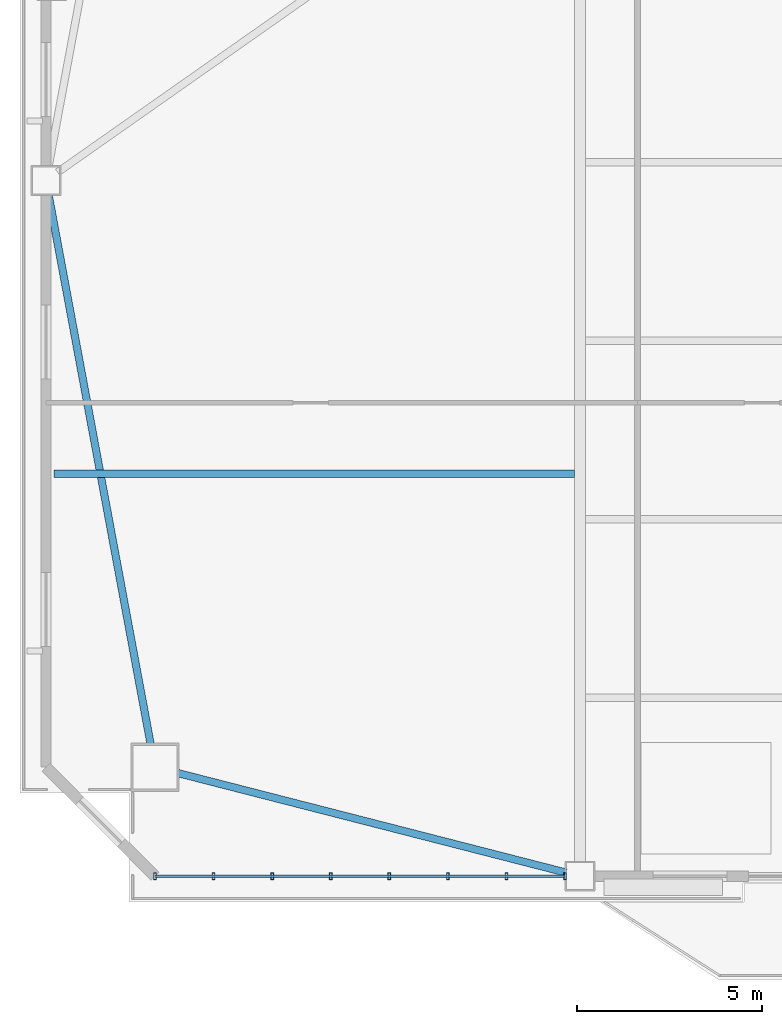
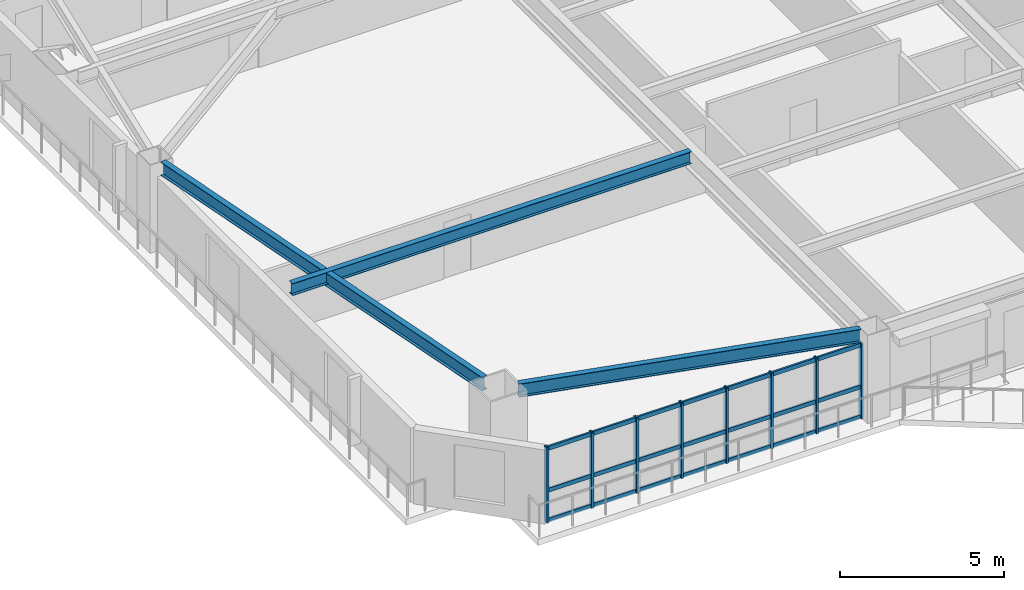
# One storey, part 2 of 15: 11 members, 3 beams, 1 element without a shape of its own.
"""IFC4 building model written with IfcOpenShell, lengths in metres."""

import ifcopenshell
import ifcopenshell.guid

model = None  # the IFC model being written
_history = None  # IfcOwnerHistory: only IFC2X3 demands one
_inside = {}  # id of a spatial element -> (the spatial element, [elements in it])
_under = {}  # id of a project, library or spatial element -> (it, [spatial elements below it])
_declared = {}  # id of a project -> (the project, [libraries it declares])
_typed = {}  # id of a type object -> (the type object, [elements of that type])
_made_of = {}  # id of a material, layer set ... -> (it, [elements and type objects made of it])


def new_model(schema):
    """Start an empty IFC model of exactly this schema.

    Asked for "IFC4X3", IfcOpenShell would pick the latest addendum, in which some entities
    have other attributes; the version numbers below select the first issue.
    IFC2X3 requires an IfcOwnerHistory on every rooted entity: one is made here for all.
    """
    global model, _history
    if schema == "IFC4X3":
        model = ifcopenshell.file(schema_version=(4, 3, 0, 0))
    else:
        model = ifcopenshell.file(schema=schema)
    _inside.clear()
    _under.clear()
    _declared.clear()
    _typed.clear()
    _made_of.clear()
    _history = None
    if model.schema == "IFC2X3":
        org = make("IfcOrganization", Name="unknown")
        user = make(
            "IfcPersonAndOrganization",
            ThePerson=make("IfcPerson", FamilyName="unknown"),
            TheOrganization=org,
        )
        app = make(
            "IfcApplication",
            ApplicationDeveloper=org,
            Version="unknown",
            ApplicationFullName="unknown",
            ApplicationIdentifier="unknown",
        )
        _history = make(
            "IfcOwnerHistory",
            OwningUser=user,
            OwningApplication=app,
            ChangeAction="ADDED",
            CreationDate=0,
        )
    return model


def make(cls, **values):
    """One entity of the class cls with the attributes given. An attribute that is None is left unset."""
    return model.create_entity(
        cls, **{name: value for name, value in values.items() if value is not None}
    )


def rooted(cls, **values):
    """An entity with a GlobalId (a new one), such as an element, a storey or a relation."""
    return make(cls, GlobalId=ifcopenshell.guid.new(), OwnerHistory=_history, **values)


def si_unit(unit_type, name, prefix=None):
    """IfcSIUnit, for example si_unit("LENGTHUNIT", "METRE", prefix="MILLI")."""
    return make("IfcSIUnit", UnitType=unit_type, Prefix=prefix, Name=name)


def assignment(units):
    """IfcUnitAssignment: the units of a project."""
    return None if units is None else make("IfcUnitAssignment", Units=units)


def point(xyz):
    """IfcCartesianPoint."""
    return None if xyz is None else make("IfcCartesianPoint", Coordinates=xyz)


def direction(xyz):
    """IfcDirection."""
    return None if xyz is None else make("IfcDirection", DirectionRatios=xyz)


def frame(location, z_axis=None, x_axis=None):
    """IfcAxis2Placement3D, a coordinate frame: its origin and axes. An axis left out is left unset."""
    return make(
        "IfcAxis2Placement3D",
        Location=point(location),
        Axis=direction(z_axis),
        RefDirection=direction(x_axis),
    )


def frame_2d(location, x_axis=None):
    """IfcAxis2Placement2D, a coordinate frame in the plane: its origin and x axis."""
    return make(
        "IfcAxis2Placement2D", Location=point(location), RefDirection=direction(x_axis)
    )


def origin():
    """The frame at (0, 0, 0) with its axes left unset."""
    return frame((0.0, 0.0, 0.0))


def origin_2d():
    """The frame at (0, 0) in the plane with its x axis left unset."""
    return frame_2d((0.0, 0.0))


def place(relative_to, where):
    """IfcLocalPlacement: puts the frame where relative to a parent placement (None: the world)."""
    return make(
        "IfcLocalPlacement", PlacementRelTo=relative_to, RelativePlacement=where
    )


def context(
    kind, dimensions, precision=None, world=None, true_north=None, identifier=None
):
    """IfcGeometricRepresentationContext, for example the 3D "Model" context."""
    return make(
        "IfcGeometricRepresentationContext",
        ContextIdentifier=identifier,
        ContextType=kind,
        CoordinateSpaceDimension=dimensions,
        Precision=precision,
        WorldCoordinateSystem=world,
        TrueNorth=true_north,
    )


def subcontext(parent, identifier, kind, view, scale=None):
    """IfcGeometricRepresentationSubContext, for example "Body" below "Model"."""
    return make(
        "IfcGeometricRepresentationSubContext",
        ContextIdentifier=identifier,
        ContextType=kind,
        ParentContext=parent,
        TargetScale=scale,
        TargetView=view,
    )


def project(units=None, contexts=None):
    """IfcProject with its units and contexts."""
    return rooted(
        "IfcProject",
        Name="project",
        RepresentationContexts=contexts,
        UnitsInContext=assignment(units),
    )


def spatial(cls, under=None, at=None, **own):
    """A site, building, storey or space (cls), placed at a placement, below another one or the project."""
    s = rooted(cls, ObjectPlacement=at, **own)
    if under is not None:
        _under.setdefault(under.id(), (under, []))[1].append(s)
    return s


def profile(cls, at=None, kind="AREA", **sizes):
    """A parametric profile (cls). Its sizes go by their IFC names, for example OverallWidth=200.0."""
    return make(cls, ProfileType=kind, Position=at, **sizes)


def hollow_rectangle(**sizes):
    """IfcRectangleHollowProfileDef."""
    return profile("IfcRectangleHollowProfileDef", **sizes)


def i_section(**sizes):
    """IfcIShapeProfileDef."""
    return profile("IfcIShapeProfileDef", **sizes)


def extrude(swept, where, along, depth):
    """IfcExtrudedAreaSolid: the profile swept, set in the frame where, extruded along a direction by depth."""
    return make(
        "IfcExtrudedAreaSolid",
        SweptArea=swept,
        Position=where,
        ExtrudedDirection=direction(along),
        Depth=depth,
    )


def shape(context_of_items, identifier, shape_type, items):
    """IfcShapeRepresentation: the items that make up one representation, for example the "Body"."""
    return make(
        "IfcShapeRepresentation",
        ContextOfItems=context_of_items,
        RepresentationIdentifier=identifier,
        RepresentationType=shape_type,
        Items=items,
    )


def source(mapping_origin, context_of_items, identifier, shape_type, items):
    """IfcRepresentationMap: a shape defined once, which mapped items show again and again."""
    return make(
        "IfcRepresentationMap",
        MappingOrigin=mapping_origin,
        MappedRepresentation=shape(context_of_items, identifier, shape_type, items),
    )


def transform(
    local_origin,
    x_axis=None,
    y_axis=None,
    z_axis=None,
    scale=None,
    scale2=None,
    scale3=None,
    uniform=True,
):
    """IfcCartesianTransformationOperator3D, or its non-uniform kind. x_axis, y_axis, z_axis: its Axis1, 2, 3."""
    if uniform:
        return make(
            "IfcCartesianTransformationOperator3D",
            Axis1=direction(x_axis),
            Axis2=direction(y_axis),
            LocalOrigin=point(local_origin),
            Scale=scale,
            Axis3=direction(z_axis),
        )
    return make(
        "IfcCartesianTransformationOperator3DnonUniform",
        Axis1=direction(x_axis),
        Axis2=direction(y_axis),
        LocalOrigin=point(local_origin),
        Scale=scale,
        Axis3=direction(z_axis),
        Scale2=scale2,
        Scale3=scale3,
    )


def mapped(mapping_source, mapping_target):
    """IfcMappedItem: shows the shape of a source again, moved by a transform."""
    return make(
        "IfcMappedItem", MappingSource=mapping_source, MappingTarget=mapping_target
    )


def material(Name=None, Category=None):
    """IfcMaterial."""
    return make("IfcMaterial", Name=Name, Category=Category)


def layer(
    of_material, thickness, ventilated=None, Name=None, Category=None, Priority=None
):
    """IfcMaterialLayer: one layer of a wall or slab, of a material (None: an air gap)."""
    return make(
        "IfcMaterialLayer",
        Material=of_material,
        LayerThickness=thickness,
        IsVentilated=ventilated,
        Name=Name,
        Category=Category,
        Priority=Priority,
    )


def layer_set(layers, Name=None):
    """IfcMaterialLayerSet."""
    return make("IfcMaterialLayerSet", MaterialLayers=layers, LayerSetName=Name)


def material_profile(
    of_material, cross_section, Name=None, Category=None, Priority=None
):
    """IfcMaterialProfile: a cross section and its material."""
    return make(
        "IfcMaterialProfile",
        Name=Name,
        Material=of_material,
        Profile=cross_section,
        Priority=Priority,
        Category=Category,
    )


def profile_set(profiles, Name=None, composite=None):
    """IfcMaterialProfileSet."""
    return make(
        "IfcMaterialProfileSet",
        Name=Name,
        MaterialProfiles=profiles,
        CompositeProfile=composite,
    )


def made_of(thing, what):
    """Note that an element or type object is made of a material, layer set ...; save() writes the relation."""
    if what is not None:
        _made_of.setdefault(what.id(), (what, []))[1].append(thing)
    return thing


def type_object(cls, material=None, **own):
    """A type object (cls), such as IfcWallType, which elements share."""
    return made_of(rooted(cls, **own), material)


def element(
    cls,
    number,
    at=None,
    inside=None,
    cuts=None,
    type_object=None,
    material=None,
    context=None,
    identifier="Body",
    shape_type=None,
    held_by="IfcProductDefinitionShape",
    body=None,
    shapes=None,
    **own,
):
    """One element of the class cls, such as IfcWall. Its Tag is "e" and its number.

    at: its placement. inside: the storey or other place that contains it. cuts: it is an
    opening in that element (IfcRelVoidsElement). A single representation is given by context,
    identifier, shape_type and body (its items); several are given by shapes. held_by: the class
    of the entity that holds the representations. save() writes the other relations.
    """
    e = rooted(cls, Tag="e%d" % number, ObjectPlacement=at, **own)
    if body is not None:
        shapes = [shape(context, identifier, shape_type, body)]
    if shapes is not None:
        e.Representation = make(held_by, Representations=shapes)
    if inside is not None:
        _inside.setdefault(inside.id(), (inside, []))[1].append(e)
    if cuts is not None:
        rooted(
            "IfcRelVoidsElement", RelatingBuildingElement=cuts, RelatedOpeningElement=e
        )
    if type_object is not None:
        _typed.setdefault(type_object.id(), (type_object, []))[1].append(e)
    return made_of(e, material)


def aggregate(whole, parts):
    """IfcRelAggregates: a whole, such as a stair, and the parts it consists of."""
    return rooted("IfcRelAggregates", RelatingObject=whole, RelatedObjects=parts)


def save(model, path):
    """Write the relations noted so far, then the file.

    IfcRelAggregates (storeys below a building ...), IfcRelContainedInSpatialStructure (elements
    in a storey), IfcRelDefinesByType, IfcRelAssociatesMaterial and IfcRelDeclares: one each for
    every whole, place, type object, material and project.
    """
    for whole, parts in _under.values():
        aggregate(whole, parts)
    for where, things in _inside.values():
        rooted(
            "IfcRelContainedInSpatialStructure",
            RelatedElements=things,
            RelatingStructure=where,
        )
    for kind, things in _typed.values():
        rooted("IfcRelDefinesByType", RelatedObjects=things, RelatingType=kind)
    for what, things in _made_of.values():
        rooted("IfcRelAssociatesMaterial", RelatedObjects=things, RelatingMaterial=what)
    for by, libraries in _declared.values():
        rooted("IfcRelDeclares", RelatingContext=by, RelatedDefinitions=libraries)
    model.write(path)


model = new_model("IFC4")

# Units and contexts
model_context = context("Model", 3, precision=1e-05, world=origin(), true_north=direction((0.0, 1.0)))
body_context = subcontext(model_context, "Body", "Model", "MODEL_VIEW")
ifc_project = project(units=[si_unit("LENGTHUNIT", "METRE"), si_unit("AREAUNIT", "SQUARE_METRE"), si_unit("VOLUMEUNIT", "CUBIC_METRE"), si_unit("PLANEANGLEUNIT", "RADIAN"), si_unit("MASSUNIT", "GRAM", prefix="KILO")], contexts=[model_context])

# Site, building, storey
site_placement = place(None, origin())
site = spatial("IfcSite", under=ifc_project, at=site_placement, CompositionType="ELEMENT")
building_placement = place(site_placement, origin())
building = spatial("IfcBuilding", under=site, at=building_placement, Name="Giltprow Tower", CompositionType="ELEMENT")
storey_placement = place(building_placement, frame((0.0, 0.0, 152.699951171875)))
storey = spatial("IfcBuildingStorey", under=building, at=storey_placement, Name="L37", CompositionType="ELEMENT", Elevation=152.699951171875)

# Beams
ifc_material_1 = material(Name="Structural steel Q355B", Category="steel")
ifc_material_profile_1 = material_profile(ifc_material_1, i_section(OverallWidth=0.199951171875, OverallDepth=0.5, WebThickness=0.010009765625, FlangeThickness=0.01611328125, at=origin_2d()), Name="HN 500x200x10x16")
ifc_profile_set_1 = profile_set([ifc_material_profile_1], Name="Structural steel Q355B")
beam_type_1 = type_object("IfcBeamType", Name="BM-SPAN-HN500", PredefinedType="SPANDREL", material=ifc_profile_set_1)
shared_shape_1 = source(origin(), body_context, "Body", "SweptSolid", [
    extrude(i_section(OverallWidth=0.199951171875, OverallDepth=0.5, WebThickness=0.010009765625, FlangeThickness=0.01611328125, at=origin_2d()), origin(), (0.0, 0.0, 1.0), 10.812744140625),
])
beam_1_placement = place(storey_placement, frame((9.0029296875, 11.35302734375, 3.02001953125), z_axis=(0.968677514961, -0.248322113411, 0.0), x_axis=(0.248322113411, 0.968677514961, 0.0)))
element("IfcBeam", 1, at=beam_1_placement, inside=storey, type_object=beam_type_1, Name="L37 Perimeter Spandrel Beam MC_SW-S1", PredefinedType="SPANDREL", context=body_context, shape_type="MappedRepresentation", body=[
    mapped(shared_shape_1, transform((0.0, 0.0, 0.0), x_axis=(1.0, 0.0, 0.0), y_axis=(0.0, 1.0, 0.0), z_axis=(0.0, 0.0, 1.0), scale=1.0)),
])
shared_shape_2 = source(origin(), body_context, "Body", "SweptSolid", [
    extrude(i_section(OverallWidth=0.199951171875, OverallDepth=0.5, WebThickness=0.010009765625, FlangeThickness=0.01611328125, at=origin_2d()), origin(), (0.0, 0.0, 1.0), 15.075439453125),
])
beam_2_placement = place(storey_placement, frame((5.51904296875, 26.95703125, 3.02001953125), z_axis=(0.182609413871, -0.983185537915, 0.0), x_axis=(0.983185537915, 0.182609413871, 0.0)))
element("IfcBeam", 2, at=beam_2_placement, inside=storey, type_object=beam_type_1, Name="L37 Perimeter Spandrel Beam W_MID-MC_SW", PredefinedType="SPANDREL", context=body_context, shape_type="MappedRepresentation", body=[
    mapped(shared_shape_2, transform((0.0, 0.0, 0.0), x_axis=(1.0, 0.0, 0.0), y_axis=(0.0, 1.0, 0.0), z_axis=(0.0, 0.0, 1.0), scale=1.0)),
])
ifc_material_profile_2 = material_profile(ifc_material_1, i_section(OverallWidth=0.199951171875, OverallDepth=0.449951171875, WebThickness=0.009033203125, FlangeThickness=0.013916015625, at=origin_2d()), Name="HN 450x200x9x14")
ifc_profile_set_2 = profile_set([ifc_material_profile_2], Name="Structural steel Q355B")
beam_type_2 = type_object("IfcBeamType", Name="BM-JOIST-HN450", PredefinedType="JOIST", material=ifc_profile_set_2)
shared_shape_3 = source(origin(), body_context, "Body", "SweptSolid", [
    extrude(i_section(OverallWidth=0.199951171875, OverallDepth=0.449951171875, WebThickness=0.009033203125, FlangeThickness=0.013916015625, at=origin_2d()), origin(), (0.0, 0.0, 1.0), 14.0361328125),
])
beam_3_placement = place(storey_placement, frame((5.6689453125, 19.423095703125, 3.045166015625), z_axis=(1.0, 0.0, 0.0), x_axis=(0.0, 1.0, 0.0)))
element("IfcBeam", 3, at=beam_3_placement, inside=storey, type_object=beam_type_2, Name="L37 West Wing Floor Joist 1", PredefinedType="JOIST", context=body_context, shape_type="MappedRepresentation", body=[
    mapped(shared_shape_3, transform((0.0, 0.0, 0.0), x_axis=(1.0, 0.0, 0.0), y_axis=(0.0, 1.0, 0.0), z_axis=(0.0, 0.0, 1.0), scale=1.0)),
])

# Curtain wall, members
ifc_material_2 = material(Name="Anodized bronze", Category="metal")
ifc_layer = layer(ifc_material_2, 0.179931640625, Name="Anodized bronze")
ifc_layer_set = layer_set([ifc_layer], Name="Anodized bronze")
curtain_wall_type = type_object("IfcCurtainWallType", Name="CW-HTL-BRONZE", PredefinedType="NOTDEFINED", material=ifc_layer_set)
curtain_wall_placement = place(storey_placement, origin())
curtain_wall = element("IfcCurtainWall", 4, at=curtain_wall_placement, inside=storey, type_object=curtain_wall_type, Name="L37 South Recessed Curtain Wall 1", PredefinedType="NOTDEFINED")
ifc_material_profile_3 = material_profile(ifc_material_2, hollow_rectangle(XDim=0.074951171875, YDim=0.179931640625, WallThickness=0.008056640625, at=origin_2d()), Name="RHS 180x75x8")
ifc_profile_set_3 = profile_set([ifc_material_profile_3], Name="Anodized bronze")
member_type_1 = type_object("IfcMemberType", Name="CW-MULLION-180x75", PredefinedType="MULLION", material=ifc_profile_set_3)
shared_shape_4 = source(origin(), body_context, "Body", "SweptSolid", [
    extrude(hollow_rectangle(XDim=0.074951171875, YDim=0.179931640625, WallThickness=0.008056640625, at=origin_2d()), origin(), (0.0, 0.0, 1.0), 2.80517578125),
])
member_1_placement = place(storey_placement, frame((8.387939453125, 8.572021484375, -0.02001953125), z_axis=(0.0, 0.0, 1.0), x_axis=(1.0, 0.0, 0.0)))
member_1 = element("IfcMember", 5, at=member_1_placement, type_object=member_type_1, Name="L37 South Recessed Curtain Wall 1 Mullion 1", PredefinedType="MULLION", context=body_context, shape_type="MappedRepresentation", body=[
    mapped(shared_shape_4, transform((0.0, 0.0, 0.0), x_axis=(1.0, 0.0, 0.0), y_axis=(0.0, 1.0, 0.0), z_axis=(0.0, 0.0, 1.0), scale=1.0)),
])
member_2_placement = place(storey_placement, frame((9.968017578125, 8.572021484375, -0.02001953125), z_axis=(0.0, 0.0, 1.0), x_axis=(1.0, 0.0, 0.0)))
member_2 = element("IfcMember", 6, at=member_2_placement, type_object=member_type_1, Name="L37 South Recessed Curtain Wall 1 Mullion 2", PredefinedType="MULLION", context=body_context, shape_type="MappedRepresentation", body=[
    mapped(shared_shape_4, transform((0.0, 0.0, 0.0), x_axis=(1.0, 0.0, 0.0), y_axis=(0.0, 1.0, 0.0), z_axis=(0.0, 0.0, 1.0), scale=1.0)),
])
member_3_placement = place(storey_placement, frame((11.549072265625, 8.572021484375, -0.02001953125), z_axis=(0.0, 0.0, 1.0), x_axis=(1.0, 0.0, 0.0)))
member_3 = element("IfcMember", 7, at=member_3_placement, type_object=member_type_1, Name="L37 South Recessed Curtain Wall 1 Mullion 3", PredefinedType="MULLION", context=body_context, shape_type="MappedRepresentation", body=[
    mapped(shared_shape_4, transform((0.0, 0.0, 0.0), x_axis=(1.0, 0.0, 0.0), y_axis=(0.0, 1.0, 0.0), z_axis=(0.0, 0.0, 1.0), scale=1.0)),
])
member_4_placement = place(storey_placement, frame((13.12890625, 8.572021484375, -0.02001953125), z_axis=(0.0, 0.0, 1.0), x_axis=(1.0, 0.0, 0.0)))
member_4 = element("IfcMember", 8, at=member_4_placement, type_object=member_type_1, Name="L37 South Recessed Curtain Wall 1 Mullion 4", PredefinedType="MULLION", context=body_context, shape_type="MappedRepresentation", body=[
    mapped(shared_shape_4, transform((0.0, 0.0, 0.0), x_axis=(1.0, 0.0, 0.0), y_axis=(0.0, 1.0, 0.0), z_axis=(0.0, 0.0, 1.0), scale=1.0)),
])
member_5_placement = place(storey_placement, frame((14.708984375, 8.572021484375, -0.02001953125), z_axis=(0.0, 0.0, 1.0), x_axis=(1.0, 0.0, 0.0)))
member_5 = element("IfcMember", 9, at=member_5_placement, type_object=member_type_1, Name="L37 South Recessed Curtain Wall 1 Mullion 5", PredefinedType="MULLION", context=body_context, shape_type="MappedRepresentation", body=[
    mapped(shared_shape_4, transform((0.0, 0.0, 0.0), x_axis=(1.0, 0.0, 0.0), y_axis=(0.0, 1.0, 0.0), z_axis=(0.0, 0.0, 1.0), scale=1.0)),
])
member_6_placement = place(storey_placement, frame((16.2890625, 8.572021484375, -0.02001953125), z_axis=(0.0, 0.0, 1.0), x_axis=(1.0, 0.0, 0.0)))
member_6 = element("IfcMember", 10, at=member_6_placement, type_object=member_type_1, Name="L37 South Recessed Curtain Wall 1 Mullion 6", PredefinedType="MULLION", context=body_context, shape_type="MappedRepresentation", body=[
    mapped(shared_shape_4, transform((0.0, 0.0, 0.0), x_axis=(1.0, 0.0, 0.0), y_axis=(0.0, 1.0, 0.0), z_axis=(0.0, 0.0, 1.0), scale=1.0)),
])
member_7_placement = place(storey_placement, frame((17.8701171875, 8.572021484375, -0.02001953125), z_axis=(0.0, 0.0, 1.0), x_axis=(1.0, 0.0, 0.0)))
member_7 = element("IfcMember", 11, at=member_7_placement, type_object=member_type_1, Name="L37 South Recessed Curtain Wall 1 Mullion 7", PredefinedType="MULLION", context=body_context, shape_type="MappedRepresentation", body=[
    mapped(shared_shape_4, transform((0.0, 0.0, 0.0), x_axis=(1.0, 0.0, 0.0), y_axis=(0.0, 1.0, 0.0), z_axis=(0.0, 0.0, 1.0), scale=1.0)),
])
member_8_placement = place(storey_placement, frame((19.449951171875, 8.572021484375, -0.02001953125), z_axis=(0.0, 0.0, 1.0), x_axis=(1.0, 0.0, 0.0)))
member_8 = element("IfcMember", 12, at=member_8_placement, type_object=member_type_1, Name="L37 South Recessed Curtain Wall 1 Mullion 8", PredefinedType="MULLION", context=body_context, shape_type="MappedRepresentation", body=[
    mapped(shared_shape_4, transform((0.0, 0.0, 0.0), x_axis=(1.0, 0.0, 0.0), y_axis=(0.0, 1.0, 0.0), z_axis=(0.0, 0.0, 1.0), scale=1.0)),
])
ifc_material_profile_4 = material_profile(ifc_material_2, hollow_rectangle(XDim=0.06494140625, YDim=0.14990234375, WallThickness=0.006103515625, at=origin_2d()), Name="RHS 150x65x6")
ifc_profile_set_4 = profile_set([ifc_material_profile_4], Name="Anodized bronze")
member_type_2 = type_object("IfcMemberType", Name="CW-TRANSOM-150x65", PredefinedType="USERDEFINED", material=ifc_profile_set_4)
shared_shape_5 = source(origin(), body_context, "Body", "SweptSolid", [
    extrude(hollow_rectangle(XDim=0.06494140625, YDim=0.14990234375, WallThickness=0.006103515625, at=origin_2d()), origin(), (0.0, 0.0, 1.0), 11.06201171875),
])
member_9_placement = place(storey_placement, frame((8.387939453125, 8.572021484375, 0.0400390625), z_axis=(1.0, 0.0, 0.0), x_axis=(0.0, 1.0, 0.0)))
member_9 = element("IfcMember", 13, at=member_9_placement, type_object=member_type_2, Name="L37 South Recessed Curtain Wall 1 Transom 1", ObjectType="TRANSOM", PredefinedType="USERDEFINED", context=body_context, shape_type="MappedRepresentation", body=[
    mapped(shared_shape_5, transform((0.0, 0.0, 0.0), x_axis=(1.0, 0.0, 0.0), y_axis=(0.0, 1.0, 0.0), z_axis=(0.0, 0.0, 1.0), scale=1.0)),
])
member_10_placement = place(storey_placement, frame((8.387939453125, 8.572021484375, 1.155029296875), z_axis=(1.0, 0.0, 0.0), x_axis=(0.0, 1.0, 0.0)))
member_10 = element("IfcMember", 14, at=member_10_placement, type_object=member_type_2, Name="L37 South Recessed Curtain Wall 1 Transom 2", ObjectType="TRANSOM", PredefinedType="USERDEFINED", context=body_context, shape_type="MappedRepresentation", body=[
    mapped(shared_shape_5, transform((0.0, 0.0, 0.0), x_axis=(1.0, 0.0, 0.0), y_axis=(0.0, 1.0, 0.0), z_axis=(0.0, 0.0, 1.0), scale=1.0)),
])
member_11_placement = place(storey_placement, frame((8.387939453125, 8.572021484375, 2.7099609375), z_axis=(1.0, 0.0, 0.0), x_axis=(0.0, 1.0, 0.0)))
member_11 = element("IfcMember", 15, at=member_11_placement, type_object=member_type_2, Name="L37 South Recessed Curtain Wall 1 Transom 3", ObjectType="TRANSOM", PredefinedType="USERDEFINED", context=body_context, shape_type="MappedRepresentation", body=[
    mapped(shared_shape_5, transform((0.0, 0.0, 0.0), x_axis=(1.0, 0.0, 0.0), y_axis=(0.0, 1.0, 0.0), z_axis=(0.0, 0.0, 1.0), scale=1.0)),
])
aggregate(curtain_wall, [member_1, member_2, member_3, member_4, member_5, member_6, member_7, member_8, member_9, member_10, member_11])

save(model, "model.ifc")
